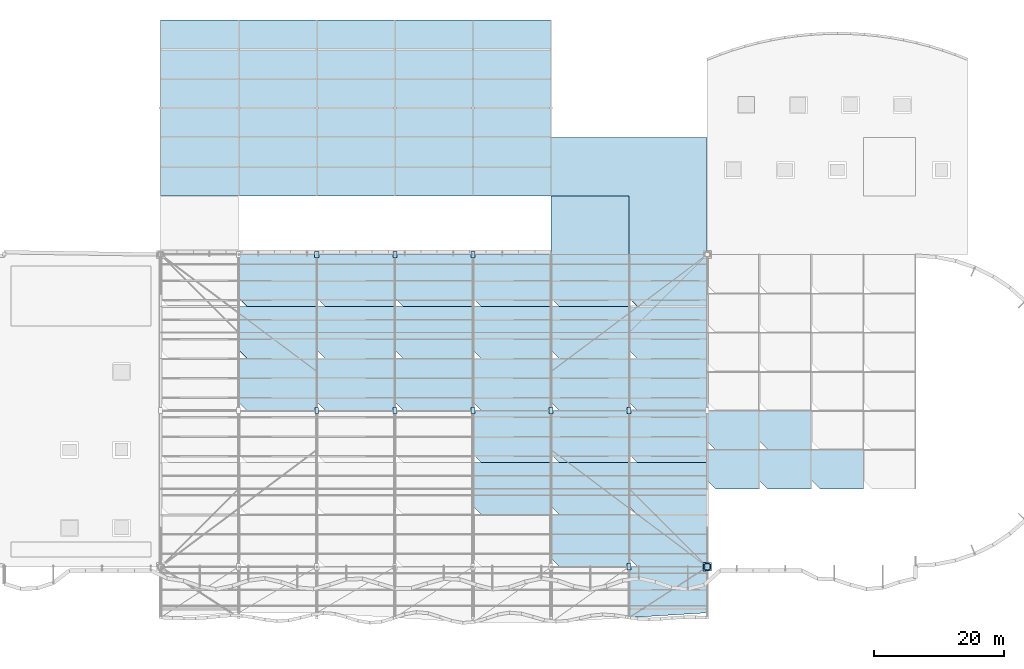
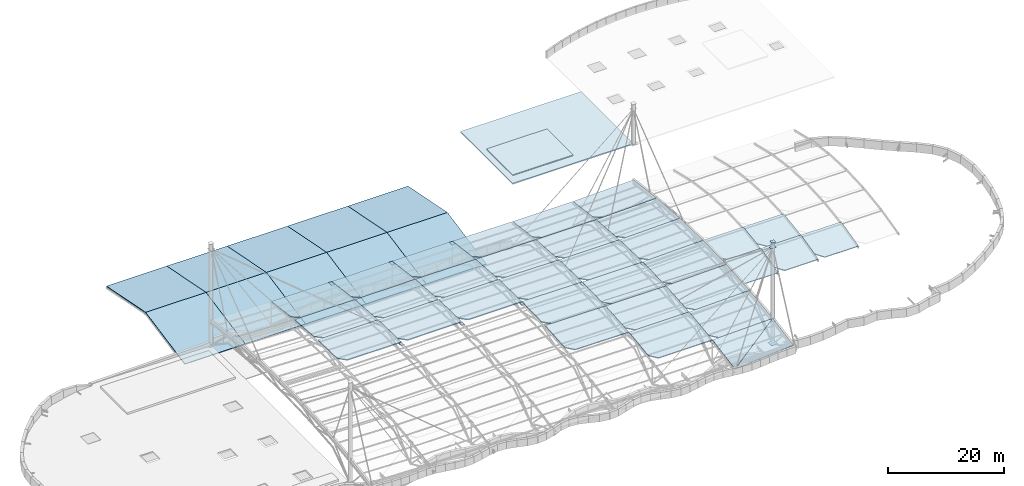
# One storey, part 19 of 29: 45 slabs, 13 plates.
"""IFC4 building model written with IfcOpenShell, lengths in metres."""

from ifc_helpers import new_model, si_unit, direction, frame, origin, origin_with_axes, origin_2d, place, context, subcontext, project, spatial, polyline, rectangle, outline, extrude, material, layer, layer_set, type_object, element, save


model = new_model("IFC4")

# Units and contexts
model_context = context("Model", 3, precision=1e-05, world=origin(), true_north=direction((0.0, 1.0)))
body_context = subcontext(model_context, "Body", "Model", "MODEL_VIEW")
ifc_project = project(units=[si_unit("LENGTHUNIT", "METRE"), si_unit("AREAUNIT", "SQUARE_METRE"), si_unit("VOLUMEUNIT", "CUBIC_METRE"), si_unit("PLANEANGLEUNIT", "RADIAN"), si_unit("MASSUNIT", "GRAM", prefix="KILO")], contexts=[model_context])

# Site, building, storey
site_placement = place(None, origin())
site = spatial("IfcSite", under=ifc_project, at=site_placement, CompositionType="ELEMENT")
building_placement = place(site_placement, origin())
building = spatial("IfcBuilding", under=site, at=building_placement, Name="Keelwater Ferry Terminal", CompositionType="ELEMENT")
storey_placement = place(building_placement, frame((0.0, 0.0, 27.89990234375)))
storey = spatial("IfcBuildingStorey", under=building, at=storey_placement, Name="RF", CompositionType="ELEMENT", Elevation=27.89990234375)

# Plates
ifc_material_1 = material(Name="Steel S355", Category="steel")
ifc_layer_1 = layer(ifc_material_1, 0.06494140625)
ifc_layer_set_1 = layer_set([ifc_layer_1], Name="Steel S355")
plate_type_1 = type_object("IfcPlateType", Name="BP1 1300x1300x65", PredefinedType="USERDEFINED", material=ifc_layer_set_1)
plate_1_placement = place(storey_placement, frame((132.0, 42.0, -12.900390625), z_axis=(0.0, 0.0, 1.0), x_axis=(1.0, 0.0, 0.0)))
element("IfcPlate", 1, at=plate_1_placement, inside=storey, type_object=plate_type_1, Name="Roof Mast ML3 Base Plate", ObjectType="GUSSET PLATE", PredefinedType="USERDEFINED", context=body_context, shape_type="SweptSolid", body=[
    extrude(rectangle(XDim=1.300048828125, YDim=1.300048828125, at=origin_2d()), origin(), (0.0, 0.0, 1.0), 0.06494140625),
])
ifc_material_2 = material(Name="Steel S355", Category="steel")
ifc_layer_2 = layer(ifc_material_2, 0.034912109375)
ifc_layer_set_2 = layer_set([ifc_layer_2], Name="Steel S355")
plate_type_2 = type_object("IfcPlateType", Name="CP1 840x840x35", PredefinedType="USERDEFINED", material=ifc_layer_set_2)
plate_2_placement = place(storey_placement, frame((132.0, 42.0, 8.46484375), z_axis=(0.0, 0.0, 1.0), x_axis=(1.0, 0.0, 0.0)))
element("IfcPlate", 2, at=plate_2_placement, inside=storey, type_object=plate_type_2, Name="Roof Mast ML3 Top Cap Plate", ObjectType="GUSSET PLATE", PredefinedType="USERDEFINED", context=body_context, shape_type="SweptSolid", body=[
    extrude(rectangle(XDim=0.840087890625, YDim=0.840087890625, at=origin_2d()), origin(), (0.0, 0.0, 1.0), 0.034912109375),
])
ifc_material_3 = material(Name="Steel S355", Category="steel")
ifc_layer_3 = layer(ifc_material_3, 0.030029296875)
ifc_layer_set_3 = layer_set([ifc_layer_3], Name="Steel S355")
plate_type_3 = type_object("IfcPlateType", Name="GP1 900x600x30", PredefinedType="USERDEFINED", material=ifc_layer_set_3)
for number, where, z_axis, x_axis, name in (
    (3, (72.0, 66.0, -6.61279296875), (0.0, 0.0, 1.0), (0.0, 1.0, 0.0), "Connection Gusset Plate 11"),
    (4, (84.0, 66.0, -6.52978515625), (0.0, 0.0, 1.0), (0.0, 1.0, 0.0), "Connection Gusset Plate 15"),
    (5, (96.0, 66.0, -6.52978515625), (0.0, 0.0, 1.0), (0.0, 1.0, 0.0), "Connection Gusset Plate 19"),
    (6, (108.0, 66.0, -6.61279296875), (0.0, 0.0, 1.0), (0.0, 1.0, 0.0), "Connection Gusset Plate 23"),
    (7, (120.0, 66.0, -6.59912109375), (0.0, 0.0, 1.0), (0.0, 1.0, 0.0), "Connection Gusset Plate 26"),
):
    element("IfcPlate", number, at=place(storey_placement, frame(where, z_axis=z_axis, x_axis=x_axis)), inside=storey, type_object=plate_type_3, Name=name, ObjectType="GUSSET PLATE", PredefinedType="USERDEFINED", context=body_context, shape_type="SweptSolid", body=[
        extrude(rectangle(XDim=0.89990234375, YDim=0.60009765625, at=origin_2d()), origin(), (0.0, 0.0, 1.0), 0.030029296875),
    ])
ifc_material_4 = material(Name="Steel S460", Category="steel")
ifc_layer_4 = layer(ifc_material_4, 0.034912109375)
ifc_layer_set_4 = layer_set([ifc_layer_4], Name="Steel S460")
plate_type_4 = type_object("IfcPlateType", Name="GP6 1100x700x35", PredefinedType="USERDEFINED", material=ifc_layer_set_4)
plate_3_placement = place(storey_placement, frame((132.0, 42.0, 7.28271484375), z_axis=(0.0, 0.0, 1.0), x_axis=(1.0, 0.0, 0.0)))
element("IfcPlate", 8, at=plate_3_placement, inside=storey, type_object=plate_type_4, Name="Roof Mast ML3 Stay Cable Collar Plate", ObjectType="GUSSET PLATE", PredefinedType="USERDEFINED", context=body_context, shape_type="SweptSolid", body=[
    extrude(rectangle(XDim=1.10009765625, YDim=0.699951171875, at=origin_2d()), origin(), (0.0, 0.0, 1.0), 0.034912109375),
])
ifc_material_5 = material(Name="Steel S460", Category="steel")
ifc_layer_5 = layer(ifc_material_5, 0.031982421875)
ifc_layer_set_5 = layer_set([ifc_layer_5], Name="Steel S460")
plate_type_5 = type_object("IfcPlateType", Name="GP7 960x640x32", PredefinedType="USERDEFINED", material=ifc_layer_set_5)
for number, where, z_axis, x_axis, name in (
    (9, (72.0, 90.0, -8.4638671875), (0.0, 0.0, 1.0), (0.0, 1.0, 0.0), "Connection Gusset Plate 12"),
    (10, (84.0, 90.0, -8.380859375), (0.0, 0.0, 1.0), (0.0, 1.0, 0.0), "Connection Gusset Plate 16"),
    (11, (96.0, 90.0, -8.380859375), (0.0, 0.0, 1.0), (0.0, 1.0, 0.0), "Connection Gusset Plate 20"),
    (12, (120.0, 42.0, -8.44970703125), (0.0, 0.0, 1.0), (0.0, 1.0, 0.0), "Connection Gusset Plate 25"),
    (13, (132.0, 42.0, -8.11572265625), (0.0, 0.0, 1.0), (0.0, 1.0, 0.0), "Connection Gusset Plate 28"),
):
    element("IfcPlate", number, at=place(storey_placement, frame(where, z_axis=z_axis, x_axis=x_axis)), inside=storey, type_object=plate_type_5, Name=name, ObjectType="GUSSET PLATE", PredefinedType="USERDEFINED", context=body_context, shape_type="SweptSolid", body=[
        extrude(rectangle(XDim=0.9599609375, YDim=0.639892578125, at=origin_2d()), origin(), (0.0, 0.0, 1.0), 0.031982421875),
    ])

# Slabs
ifc_material_6 = material(Name="Concrete C40/50", Category="concrete")
ifc_layer_6 = layer(ifc_material_6, 0.159912109375)
ifc_layer_set_6 = layer_set([ifc_layer_6], Name="Concrete C40/50")
slab_type_1 = type_object("IfcSlabType", Name="SL-R160 Roof Slab 160", PredefinedType="ROOF", material=ifc_layer_set_6)
for number, where, z_axis, x_axis, name in (
    (14, (48.0, 99.03081925223994, -22.55700373782611), (0.0, -0.19262032649962968, 0.981273361413208), (1.0, 0.0, 0.0), "V6 Forecourt Wave Canopy Roof Panel SL-RF-144"),
    (15, (48.0, 112.46918074776006, -19.907003737826113), (0.0, 0.1926203264996298, 0.981273361413208), (1.0, 0.0, 0.0), "V6 Forecourt Wave Canopy Roof Panel SL-RF-145"),
    (16, (60.0, 99.03081925223994, -22.55700373782611), (0.0, -0.19262032649962968, 0.981273361413208), (1.0, 0.0, 0.0), "V6 Forecourt Wave Canopy Roof Panel SL-RF-146"),
    (17, (60.0, 112.46918074776006, -19.907003737826113), (0.0, 0.1926203264996298, 0.981273361413208), (1.0, 0.0, 0.0), "V6 Forecourt Wave Canopy Roof Panel SL-RF-147"),
    (18, (72.0, 99.03081925223994, -22.55700373782611), (0.0, -0.19262032649962968, 0.981273361413208), (1.0, 0.0, 0.0), "V6 Forecourt Wave Canopy Roof Panel SL-RF-148"),
    (19, (72.0, 112.46918074776006, -19.907003737826113), (0.0, 0.1926203264996298, 0.981273361413208), (1.0, 0.0, 0.0), "V6 Forecourt Wave Canopy Roof Panel SL-RF-149"),
    (20, (84.0, 99.03081925223994, -22.55700373782611), (0.0, -0.19262032649962968, 0.981273361413208), (1.0, 0.0, 0.0), "V6 Forecourt Wave Canopy Roof Panel SL-RF-150"),
    (21, (84.0, 112.46918074776006, -19.907003737826113), (0.0, 0.1926203264996298, 0.981273361413208), (1.0, 0.0, 0.0), "V6 Forecourt Wave Canopy Roof Panel SL-RF-151"),
    (22, (96.0, 99.03081925223994, -22.55700373782611), (0.0, -0.19262032649962968, 0.981273361413208), (1.0, 0.0, 0.0), "V6 Forecourt Wave Canopy Roof Panel SL-RF-152"),
    (23, (96.0, 112.46918074776006, -19.907003737826113), (0.0, 0.1926203264996298, 0.981273361413208), (1.0, 0.0, 0.0), "V6 Forecourt Wave Canopy Roof Panel SL-RF-153"),
):
    element("IfcSlab", number, at=place(storey_placement, frame(where, z_axis=z_axis, x_axis=x_axis)), inside=storey, type_object=slab_type_1, Name=name, PredefinedType="ROOF", context=body_context, shape_type="SweptSolid", body=[
        extrude(outline(polyline([(0.0, 0.0), (12.0, 0.0), (12.0, 13.757634244302327), (0.0, 13.757634244302327), (0.0, 0.0)])), origin_with_axes(), (0.0, 0.0, 1.0), 0.16),
    ])
ifc_material_7 = material(Name="Concrete C40/50", Category="concrete")
ifc_layer_7 = layer(ifc_material_7, 0.179931640625)
ifc_layer_set_7 = layer_set([ifc_layer_7], Name="Concrete C40/50")
slab_type_2 = type_object("IfcSlabType", Name="SL-R180 Roof Slab 180", PredefinedType="ROOF", material=ifc_layer_set_7)
slab_1_placement = place(storey_placement, frame((0.0, 0.0, 1.6201171875)))
element("IfcSlab", 24, at=slab_1_placement, inside=storey, type_object=slab_type_2, Name="Core C2 Lift Overrun Roof SL-RF-060", PredefinedType="ROOF", context=body_context, shape_type="SweptSolid", body=[
    extrude(outline(polyline([(108.0, 90.0), (120.0, 90.0), (120.0, 99.0), (108.0, 99.0), (108.0, 90.0)])), origin(), (0.0, 0.0, 1.0), 0.179931640625),
])
slab_2_placement = place(storey_placement, frame((120.0027563412765, 34.23494101580068, -9.557554603444895), z_axis=(-0.015313007091599285, -0.19411675444819176, 0.980858908027201), x_axis=(0.9998827490330117, -0.0029728598081506237, 0.0150216607187239)))
element("IfcSlab", 25, at=slab_2_placement, inside=storey, type_object=slab_type_2, Name="V1 Saddle Wave Eave Roof Facet SL-RF-112", PredefinedType="ROOF", context=body_context, shape_type="SweptSolid", body=[
    extrude(outline(polyline([(0.0, 0.0), (12.001407176596677, 0.7866452704579032), (12.001407176596675, 7.987652144499894), (0.0, 0.0)])), origin_with_axes(), (0.0, 0.0, 1.0), 0.18),
])
slab_3_placement = place(storey_placement, frame((120.00492967841863, 34.231721606406424, -9.558114194681526), z_axis=(-0.02738710232575418, -0.17623114670234324, 0.9839677482306907), x_axis=(0.9996249029642061, -0.004828271518056501, 0.026958137323436392)))
element("IfcSlab", 26, at=slab_3_placement, inside=storey, type_object=slab_type_2, Name="V1 Saddle Wave Eave Roof Facet SL-RF-113", PredefinedType="ROOF", context=body_context, shape_type="SweptSolid", body=[
    extrude(outline(polyline([(0.0, 0.0), (12.0045028534365, 7.982998950384174), (0.0, 7.924115660438075), (0.0, 0.0)])), origin_with_axes(), (0.0, 0.0, 1.0), 0.18),
])
slab_4_placement = place(storey_placement, frame((133.29999886571312, 54.04211671030216, -8.275003379144621), z_axis=(6.301593770854514e-06, -0.2339817239009008, 0.9722409952479132), x_axis=(0.999999999980145, 1.4744577738569928e-06, -6.126667799545288e-06)))
element("IfcSlab", 27, at=slab_4_placement, inside=storey, type_object=slab_type_2, Name="V2 Vaulted Gallery Roof Panel SL-RF-120", PredefinedType="ROOF", context=body_context, shape_type="SweptSolid", body=[
    extrude(outline(polyline([(0.0, 0.0), (6.69999999986696, -1.4187801866509507e-21), (6.6999999997053, 6.171315580922911), (-1.3000000001358594, 6.171315580922911), (-1.300000000826115, 1.337149573429815), (0.0, 0.0)])), origin_with_axes(), (0.0, 0.0, 1.0), 0.18),
])
slab_5_placement = place(storey_placement, frame((133.29999870098442, 60.02574176881084, -6.834149828337839), z_axis=(7.216753372769572e-06, -0.14300982672687687, 0.9897212685435568), x_axis=(0.9999999999739593, 1.0320666493972566e-06, -7.142574303049491e-06)))
element("IfcSlab", 28, at=slab_5_placement, inside=storey, type_object=slab_type_2, Name="V2 Vaulted Gallery Roof Panel SL-RF-121", PredefinedType="ROOF", context=body_context, shape_type="SweptSolid", body=[
    extrude(outline(polyline([(0.0, 0.0), (6.699999999825516, 0.0), (6.699999999613491, 6.062317131191412), (-1.3000000001781828, 6.062317131191412), (-1.3000000010834831, 1.313523496565479), (0.0, 0.0)])), origin_with_axes(), (0.0, 0.0, 1.0), 0.18),
])
slab_6_placement = place(storey_placement, frame((141.29999886571312, 54.04211671030216, -8.275003379144621), z_axis=(6.301593770854514e-06, -0.2339817239009008, 0.9722409952479132), x_axis=(0.999999999980145, 1.4744577738569928e-06, -6.126667799545288e-06)))
element("IfcSlab", 29, at=slab_6_placement, inside=storey, type_object=slab_type_2, Name="V2 Vaulted Gallery Roof Panel SL-RF-126", PredefinedType="ROOF", context=body_context, shape_type="SweptSolid", body=[
    extrude(outline(polyline([(0.0, 0.0), (6.69999999986696, -1.4187801866509507e-21), (6.6999999997053, 6.171315580922911), (-1.3000000001358594, 6.171315580922911), (-1.300000000826115, 1.337149573429815), (0.0, 0.0)])), origin_with_axes(), (0.0, 0.0, 1.0), 0.18),
])
slab_7_placement = place(storey_placement, frame((141.29999870098442, 60.02574176881084, -6.834149828337839), z_axis=(7.216753372769572e-06, -0.14300982672687687, 0.9897212685435568), x_axis=(0.9999999999739593, 1.0320666493972566e-06, -7.142574303049491e-06)))
element("IfcSlab", 30, at=slab_7_placement, inside=storey, type_object=slab_type_2, Name="V2 Vaulted Gallery Roof Panel SL-RF-127", PredefinedType="ROOF", context=body_context, shape_type="SweptSolid", body=[
    extrude(outline(polyline([(0.0, 0.0), (6.699999999825516, 0.0), (6.699999999613491, 6.062317131191412), (-1.3000000001781828, 6.062317131191412), (-1.3000000010834831, 1.313523496565479), (0.0, 0.0)])), origin_with_axes(), (0.0, 0.0, 1.0), 0.18),
])
slab_8_placement = place(storey_placement, frame((149.29999886571312, 54.04211671030216, -8.275003379144621), z_axis=(6.301593770854514e-06, -0.2339817239009008, 0.9722409952479132), x_axis=(0.999999999980145, 1.4744577738569928e-06, -6.126667799545288e-06)))
element("IfcSlab", 31, at=slab_8_placement, inside=storey, type_object=slab_type_2, Name="V2 Vaulted Gallery Roof Panel SL-RF-132", PredefinedType="ROOF", context=body_context, shape_type="SweptSolid", body=[
    extrude(outline(polyline([(0.0, 0.0), (6.69999999986696, -1.4187801866509507e-21), (6.6999999997053, 6.171315580922911), (-1.3000000001358594, 6.171315580922911), (-1.300000000826115, 1.337149573429815), (0.0, 0.0)])), origin_with_axes(), (0.0, 0.0, 1.0), 0.18),
])
ifc_material_8 = material(Name="Concrete C40/50", Category="concrete")
ifc_layer_8 = layer(ifc_material_8, 0.199951171875)
ifc_layer_set_8 = layer_set([ifc_layer_8], Name="Concrete C40/50")
slab_type_3 = type_object("IfcSlabType", Name="SL-R200 Roof Slab 200", PredefinedType="ROOF", material=ifc_layer_set_8)
slab_9_placement = place(storey_placement, frame((61.299766886722, 65.99487952147167, -6.335934305105052), z_axis=(0.0011655663899887117, 0.025602392641629685, 0.999671525525267), x_axis=(0.9999993207272646, -2.9841308636765218e-05, -0.001165184322658936)))
element("IfcSlab", 32, at=slab_9_placement, inside=storey, type_object=slab_type_3, Name="V1 Saddle Cable-Net Coffered Roof Panel SL-RF-077", PredefinedType="ROOF", context=body_context, shape_type="SweptSolid", body=[
    extrude(outline(polyline([(0.0, 0.0), (10.700006713993606, 0.000307228920391797), (10.700006846310655, 8.002933359579805), (-1.3000013149970355, 8.002574925839347), (-1.3000017899326666, 1.300367540658951), (0.0, 0.0)])), origin_with_axes(), (0.0, 0.0, 1.0), 0.2),
])
slab_10_placement = place(storey_placement, frame((61.299767798265236, 73.9846237672077, -6.5404079174643535), z_axis=(0.0011610086738014936, 0.07688116396154596, 0.997039587321776), x_axis=(0.9999993260292026, -8.925975836978018e-05, -0.0011575723891740297)))
element("IfcSlab", 33, at=slab_10_placement, inside=storey, type_object=slab_type_3, Name="V1 Saddle Cable-Net Coffered Roof Panel SL-RF-078", PredefinedType="ROOF", context=body_context, shape_type="SweptSolid", body=[
    extrude(outline(polyline([(0.0, 0.0), (10.700006679381142, 0.0009225745893269183), (10.700006823478304, 8.024680359106242), (-1.3000012948855768, 8.02360402208536), (-1.300001719429702, 1.3036866962333), (0.0, 0.0)])), origin_with_axes(), (0.0, 0.0, 1.0), 0.2),
])
slab_11_placement = place(storey_placement, frame((61.29977026668707, 81.97451377631319, -7.156369351525861), z_axis=(0.0011486665646517158, 0.12743111843406327, 0.991846757629306), x_axis=(0.999999340282344, -0.00014637596160818768, -0.001139301959364616)))
element("IfcSlab", 34, at=slab_11_placement, inside=storey, type_object=slab_type_3, Name="V1 Saddle Cable-Net Coffered Roof Panel SL-RF-079", PredefinedType="ROOF", context=body_context, shape_type="SweptSolid", body=[
    extrude(outline(polyline([(0.0, 0.0), (10.700006612644597, 0.0015291744300321877), (10.700006807365957, 8.067307746351231), (-1.300001226249602, 8.065523709516192), (-1.30000144629384, 1.3104277839720613), (0.0, 0.0)])), origin_with_axes(), (0.0, 0.0, 1.0), 0.2),
])
slab_12_placement = place(storey_placement, frame((73.3013809453349, 65.99487502035765, -6.338929556528413), z_axis=(-0.006904726674478213, 0.02562489821170663, 0.9996477826420617), x_axis=(0.9999761620906524, 0.00017693713602456862, 0.006902459250089521)))
element("IfcSlab", 35, at=slab_12_placement, inside=storey, type_object=slab_type_3, Name="V1 Saddle Cable-Net Coffered Roof Panel SL-RF-085", PredefinedType="ROOF", context=body_context, shape_type="SweptSolid", body=[
    extrude(outline(polyline([(0.0, 0.0), (10.700255716354489, -0.0018962876711999357), (10.700256209296418, 8.00072984347495), (-1.3000306399091681, 8.002856760727783), (-1.3000288957295172, 1.3006493679212947), (0.0, 0.0)])), origin_with_axes(), (0.0, 0.0, 1.0), 0.2),
])
slab_13_placement = place(storey_placement, frame((73.30136054002014, 73.9846185194855, -6.543403006466889), z_axis=(-0.006802700100751953, 0.07690740257253416, 0.9970150323344605), x_axis=(0.9999768613679715, 0.0005231901011319802, 0.006782551199869275)))
element("IfcSlab", 36, at=slab_13_placement, inside=storey, type_object=slab_type_3, Name="V1 Saddle Cable-Net Coffered Roof Panel SL-RF-086", PredefinedType="ROOF", context=body_context, shape_type="SweptSolid", body=[
    extrude(outline(polyline([(0.0, 0.0), (10.700247542874887, -0.00561437029664339), (10.700248229593624, 8.018143414545165), (-1.3000302760204225, 8.02444996748112), (-1.3000290707276743, 1.30453263401579), (0.0, 0.0)])), origin_with_axes(), (0.0, 0.0, 1.0), 0.2),
])
slab_14_placement = place(storey_placement, frame((73.30137168868978, 81.97450984690587, -7.159364237112882), z_axis=(-0.006858443448925348, 0.12745076547059528, 0.9918211855644229), x_axis=(0.9999764806001479, 0.0008741344266194293, 0.0068025095035807006)))
element("IfcSlab", 37, at=slab_14_placement, inside=storey, type_object=slab_type_3, Name="V1 Saddle Cable-Net Coffered Roof Panel SL-RF-087", PredefinedType="ROOF", context=body_context, shape_type="SweptSolid", body=[
    extrude(outline(polyline([(0.0, 0.0), (10.70025172812485, -0.009431578469889526), (10.700251823768125, 8.05634699522066), (-1.300030551722447, 8.066925657558508), (-1.3000302916982145, 1.3118297294045156), (0.0, 0.0)])), origin_with_axes(), (0.0, 0.0, 1.0), 0.2),
])
slab_15_placement = place(storey_placement, frame((85.29999716344274, 65.99484911446514, -6.264933659922885), z_axis=(1.4182786300266396e-05, 0.025754427674332562, 0.9996682996144352), x_axis=(0.9999999998994243, -3.6526954402746285e-07, -1.4178081866008185e-05)))
element("IfcSlab", 38, at=slab_15_placement, inside=storey, type_object=slab_type_3, Name="V1 Saddle Cable-Net Coffered Roof Panel SL-RF-093", PredefinedType="ROOF", context=body_context, shape_type="SweptSolid", body=[
    extrude(outline(polyline([(0.0, 0.0), (10.699999998923843, 0.0), (10.699999997452355, 8.002651809821266), (-1.3000000013407367, 8.002651809821266), (-1.3000000068429545, 1.3004186857428064), (0.0, 0.0)])), origin_with_axes(), (0.0, 0.0, 1.0), 0.2),
])
slab_16_placement = place(storey_placement, frame((85.29999940439505, 73.98464490986967, -6.470409681827974), z_axis=(2.978024752662746e-06, 0.07677545065163224, 0.9970484091398824), x_axis=(0.9999999999955657, -2.2863919243841183e-07, -2.969234842034749e-06)))
element("IfcSlab", 39, at=slab_16_placement, inside=storey, type_object=slab_type_3, Name="V1 Saddle Cable-Net Coffered Roof Panel SL-RF-094", PredefinedType="ROOF", context=body_context, shape_type="SweptSolid", body=[
    extrude(outline(polyline([(0.0, 0.0), (10.699999999952555, 0.0), (10.699999999887677, 8.023680950756043), (-1.3000000000591092, 8.023680950756043), (-1.3000000003016983, 1.3038404769527892), (0.0, 0.0)])), origin_with_axes(), (0.0, 0.0, 1.0), 0.2),
])
slab_17_placement = place(storey_placement, frame((85.29999970375182, 81.9745093238558, -7.0853689124576285), z_axis=(1.4812408750951153e-06, 0.12745338072099802, 0.9918445622881613), x_axis=(0.999999999998903, -1.8878915719320909e-07, -1.4691607074036594e-06)))
element("IfcSlab", 40, at=slab_17_placement, inside=storey, type_object=slab_type_3, Name="V1 Saddle Cable-Net Coffered Roof Panel SL-RF-095", PredefinedType="ROOF", context=body_context, shape_type="SweptSolid", body=[
    extrude(outline(polyline([(0.0, 0.0), (10.699999999988265, -2.8322664173815675e-22), (10.699999999972214, 8.065778573695326), (-1.3000000000146212, 8.065778573695326), (-1.300000000074637, 1.3106826455564518), (0.0, 0.0)])), origin_with_axes(), (0.0, 0.0, 1.0), 0.2),
])
slab_18_placement = place(storey_placement, frame((97.29862141265514, 50.01535480303141, -7.095404938556694), z_axis=(0.006892936724324888, -0.07677401515702725, 0.9970246927834753), x_axis=(0.9999762434294699, 0.0005292110007882144, -0.006872591389148017)))
element("IfcSlab", 41, at=slab_18_placement, inside=storey, type_object=slab_type_3, Name="V1 Saddle Cable-Net Coffered Roof Panel SL-RF-099", PredefinedType="ROOF", context=body_context, shape_type="SweptSolid", body=[
    extrude(outline(polyline([(0.0, 0.0), (10.700254376458128, -0.0056814120924872265), (10.700254548168719, 8.017999538654461), (-1.30003079807022, 8.024371933298736), (-1.3000302546187006, 1.3045314594642565), (0.0, 0.0)])), origin_with_axes(), (0.0, 0.0, 1.0), 0.2),
])
slab_19_placement = place(storey_placement, frame((97.29863714011704, 58.005151862133864, -6.479928989717578), z_axis=(0.006814299414775568, -0.025759310669326938, 0.9996449485879109), x_axis=(0.9999767823922142, 0.00017553573113877457, -0.006812038147375882)))
element("IfcSlab", 42, at=slab_19_placement, inside=storey, type_object=slab_type_3, Name="V1 Saddle Cable-Net Coffered Roof Panel SL-RF-100", PredefinedType="ROOF", context=body_context, shape_type="SweptSolid", body=[
    extrude(outline(polyline([(0.0, 0.0), (10.700248850381453, -0.0018804733389533122), (10.700249856372205, 8.000771335793166), (-1.3000301194624513, 8.002883648310894), (-1.300027726261585, 1.300650522206084), (0.0, 0.0)])), origin_with_axes(), (0.0, 0.0, 1.0), 0.2),
])
slab_20_placement = place(storey_placement, frame((97.29861435685078, 65.99484931638712, -6.273928863477444), z_axis=(0.0069282157461128665, 0.025753418064434614, 0.9996443173872264), x_axis=(0.9999759996252786, -0.00017842951892555899, -0.0069259177248551145)))
element("IfcSlab", 43, at=slab_20_placement, inside=storey, type_object=slab_type_3, Name="V1 Saddle Cable-Net Coffered Roof Panel SL-RF-101", PredefinedType="ROOF", context=body_context, shape_type="SweptSolid", body=[
    extrude(outline(polyline([(0.0, 0.0), (10.700255713902123, 0.0019057986766505863), (10.70025501680204, 8.004557608537935), (-1.3000318298724671, 8.002420023535747), (-1.300034535862066, 1.300186899609736), (0.0, 0.0)])), origin_with_axes(), (0.0, 0.0, 1.0), 0.2),
])
slab_21_placement = place(storey_placement, frame((97.29863728642633, 73.98464635389513, -6.479405136751794), z_axis=(0.006813567868355667, 0.07676823052437466, 0.997025683758979), x_axis=(0.9999767873770387, -0.0005230776908166163, -0.0067934598568077775)))
element("IfcSlab", 44, at=slab_21_placement, inside=storey, type_object=slab_type_3, Name="V1 Saddle Cable-Net Coffered Roof Panel SL-RF-102", PredefinedType="ROOF", context=body_context, shape_type="SweptSolid", body=[
    extrude(outline(polyline([(0.0, 0.0), (10.700247547503864, 0.005604210916714387), (10.700247697249123, 8.029285161672233), (-1.300030814983598, 8.0229900206425), (-1.3000316197412394, 1.3031495473834935), (0.0, 0.0)])), origin_with_axes(), (0.0, 0.0, 1.0), 0.2),
])
slab_22_placement = place(storey_placement, frame((97.29862771871974, 81.97451000037458, -7.094364252735172), z_axis=(0.006861406401248271, 0.12744999812708563, 0.9918212636758716), x_axis=(0.9999764602740391, -0.0008745068186391271, -0.006805448965883473)))
element("IfcSlab", 45, at=slab_22_placement, inside=storey, type_object=slab_type_3, Name="V1 Saddle Cable-Net Coffered Roof Panel SL-RF-103", PredefinedType="ROOF", context=body_context, shape_type="SweptSolid", body=[
    extrude(outline(polyline([(0.0, 0.0), (10.700251728155695, 0.009431521876844918), (10.70025167514351, 8.075210095575748), (-1.3000307004091256, 8.064631496713881), (-1.3000309962838692, 1.3095355685911307), (0.0, 0.0)])), origin_with_axes(), (0.0, 0.0, 1.0), 0.2),
])
slab_23_placement = place(storey_placement, frame((109.30022973331293, 42.02548622368681, -8.19436935152586), z_axis=(-0.001148666564651727, -0.12743111843406324, 0.991846757629306), x_axis=(0.999999340282344, -0.0001463759616081891, 0.0011393019593646274)))
element("IfcSlab", 46, at=slab_23_placement, inside=storey, type_object=slab_type_3, Name="V1 Saddle Cable-Net Coffered Roof Panel SL-RF-106", PredefinedType="ROOF", context=body_context, shape_type="SweptSolid", body=[
    extrude(outline(polyline([(0.0, 0.0), (10.700006612644597, 0.0015291744300321873), (10.700006807365957, 8.067307746351231), (-1.300001226249602, 8.065523709516192), (-1.30000144629384, 1.3104277839720613), (0.0, 0.0)])), origin_with_axes(), (0.0, 0.0, 1.0), 0.2),
])
slab_24_placement = place(storey_placement, frame((109.30023220173476, 50.015376232792306, -7.167407917464356), z_axis=(-0.0011610086738015027, -0.07688116396154596, 0.997039587321776), x_axis=(0.9999993260292026, -8.925975836978087e-05, 0.0011575723891740389)))
element("IfcSlab", 47, at=slab_24_placement, inside=storey, type_object=slab_type_3, Name="V1 Saddle Cable-Net Coffered Roof Panel SL-RF-107", PredefinedType="ROOF", context=body_context, shape_type="SweptSolid", body=[
    extrude(outline(polyline([(0.0, 0.0), (10.700006679381142, 0.0009225745893269181), (10.700006823478304, 8.024680359106242), (-1.3000012948855768, 8.02360402208536), (-1.300001719429702, 1.3036866962333), (0.0, 0.0)])), origin_with_axes(), (0.0, 0.0, 1.0), 0.2),
])
slab_25_placement = place(storey_placement, frame((109.300233113278, 58.005120478528326, -6.550934305105052), z_axis=(-0.0011655663899887163, -0.025602392641629678, 0.999671525525267), x_axis=(0.9999993207272646, -2.9841308636765326e-05, 0.0011651843226589405)))
element("IfcSlab", 48, at=slab_25_placement, inside=storey, type_object=slab_type_3, Name="V1 Saddle Cable-Net Coffered Roof Panel SL-RF-108", PredefinedType="ROOF", context=body_context, shape_type="SweptSolid", body=[
    extrude(outline(polyline([(0.0, 0.0), (10.700006713993606, 0.00030722892039179695), (10.700006846310655, 8.002933359579805), (-1.3000013149970355, 8.002574925839347), (-1.3000017899326666, 1.300367540658951), (0.0, 0.0)])), origin_with_axes(), (0.0, 0.0, 1.0), 0.2),
])
slab_26_placement = place(storey_placement, frame((109.30022938069202, 65.99487043834478, -6.345934076589565), z_axis=(-0.0011469034600816463, 0.02564780827609117, 0.9996703829478426), x_axis=(0.9999993423060104, 2.941557940180942e-05, 0.0011465261752073995)))
element("IfcSlab", 49, at=slab_26_placement, inside=storey, type_object=slab_type_3, Name="V1 Saddle Cable-Net Coffered Roof Panel SL-RF-109", PredefinedType="ROOF", context=body_context, shape_type="SweptSolid", body=[
    extrude(outline(polyline([(0.0, 0.0), (10.700006720988416, -0.0003077739017340599), (10.700007007757714, 8.002318353656712), (-1.3000011512808642, 8.002677423208734), (-1.3000010331607206, 1.3004700264331759), (0.0, 0.0)])), origin_with_axes(), (0.0, 0.0, 1.0), 0.2),
])
slab_27_placement = place(storey_placement, frame((109.30022907404538, 73.98461475552541, -6.5504072259912824), z_axis=(-0.001145370226922733, 0.07692622237296523, 0.9970361299564166), x_axis=(0.9999993440633066, 8.810906256959898e-05, 0.0011419762474824682)))
element("IfcSlab", 50, at=slab_27_placement, inside=storey, type_object=slab_type_3, Name="V1 Saddle Cable-Net Coffered Roof Panel SL-RF-110", PredefinedType="ROOF", context=body_context, shape_type="SweptSolid", body=[
    extrude(outline(polyline([(0.0, 0.0), (10.700006685192353, -0.0009231152739807983), (10.700006958348212, 8.022834666658621), (-1.3000011580789308, 8.023911634478265), (-1.3000010870781986, 1.30399429896309), (0.0, 0.0)])), origin_with_axes(), (0.0, 0.0, 1.0), 0.2),
])
slab_28_placement = place(storey_placement, frame((109.30022913950411, 81.9745049048902, -7.1663682122227), z_axis=(-0.0011456975205991191, 0.12747547554902613, 0.9918410611134937), x_axis=(0.9999993436883803, 0.00014604843212699594, 0.0011363505903462256)))
element("IfcSlab", 51, at=slab_28_placement, inside=storey, type_object=slab_type_3, Name="V1 Saddle Cable-Net Coffered Roof Panel SL-RF-111", PredefinedType="ROOF", context=body_context, shape_type="SweptSolid", body=[
    extrude(outline(polyline([(0.0, 0.0), (10.700006613672755, -0.0015297067105526606), (10.700006832722895, 8.064248864725995), (-1.3000012004459323, 8.066033522554973), (-1.3000013270828947, 1.3109375951989004), (0.0, 0.0)])), origin_with_axes(), (0.0, 0.0, 1.0), 0.2),
])
slab_29_placement = place(storey_placement, frame((121.30552021067604, 42.0254826465232, -8.146293121414395), z_axis=(-0.02760105338016834, -0.12741323261599358, 0.9914656070719992), x_axis=(0.9996190183526447, -0.0035180797585958015, 0.027375924870350236)))
element("IfcSlab", 52, at=slab_29_placement, inside=storey, type_object=slab_type_3, Name="V1 Saddle Cable-Net Coffered Roof Panel SL-RF-114", PredefinedType="ROOF", context=body_context, shape_type="SweptSolid", body=[
    extrude(outline(polyline([(0.0, 0.0), (10.704081521984664, 0.03798361437954469), (10.704079334682618, 8.103762187692842), (-1.3004924444558144, 8.061189948757379), (-1.3004919813865938, 1.3060940205178286), (0.0, 0.0)])), origin_with_axes(), (0.0, 0.0, 1.0), 0.2),
])
slab_30_placement = place(storey_placement, frame((121.305550362549, 50.015376533265325, -7.119330769577388), z_axis=(-0.027751812745022864, -0.07688266632664016, 0.9966538478869541), x_axis=(0.9996148442722153, -0.00213445545697995, 0.027669608066197504)))
element("IfcSlab", 53, at=slab_30_placement, inside=storey, type_object=slab_type_3, Name="V1 Saddle Cable-Net Coffered Roof Panel SL-RF-115", PredefinedType="ROOF", context=body_context, shape_type="SweptSolid", body=[
    extrude(outline(polyline([(0.0, 0.0), (10.704124376916432, 0.02291986228157642), (10.704120881437436, 8.0466776467698), (-1.300498898923256, 8.020988942064944), (-1.3005032347317143, 1.3010716080800526), (0.0, 0.0)])), origin_with_axes(), (0.0, 0.0, 1.0), 0.2),
])
slab_31_placement = place(storey_placement, frame((121.30554821889928, 58.00512375555064, -6.502857360124921), z_axis=(-0.027741094496423372, -0.025618777753214916, 0.9992868006246114), x_axis=(0.9996151417801457, -0.0007109665558578673, 0.02773198244655334)))
element("IfcSlab", 54, at=slab_31_placement, inside=storey, type_object=slab_type_3, Name="V1 Saddle Cable-Net Coffered Roof Panel SL-RF-116", PredefinedType="ROOF", context=body_context, shape_type="SweptSolid", body=[
    extrude(outline(polyline([(0.0, 0.0), (10.704118415834188, 0.007611706420487798), (10.704115739788868, 8.01023783730368), (-1.3005007117275822, 8.001703499801922), (-1.3005071367841416, 1.2994961062368866), (0.0, 0.0)])), origin_with_axes(), (0.0, 0.0, 1.0), 0.2),
])
slab_32_placement = place(storey_placement, frame((121.3055615844422, 65.99487868038628, -6.297857051073777), z_axis=(-0.027807922211005892, 0.02560659806862076, 0.9992852553688856), x_axis=(0.9996132849568911, 0.0007123417604553026, 0.02779879686082954)))
element("IfcSlab", 55, at=slab_32_placement, inside=storey, type_object=slab_type_3, Name="V1 Saddle Cable-Net Coffered Roof Panel SL-RF-117", PredefinedType="ROOF", context=body_context, shape_type="SweptSolid", body=[
    extrude(outline(polyline([(0.0, 0.0), (10.704146190503264, -0.007633718298149783), (10.704146171230436, 7.9949924131664165), (-1.300498046403773, 8.00354832562139), (-1.300489343138761, 1.3013409353622012), (0.0, 0.0)])), origin_with_axes(), (0.0, 0.0, 1.0), 0.2),
])
slab_33_placement = place(storey_placement, frame((121.30553019751231, 73.98462583105773, -6.50233151242292), z_axis=(-0.027650987561594183, 0.07687084471134725, 0.9966575621146075), x_axis=(0.999617638343216, 0.0021263678124824135, 0.027569107222713527)))
element("IfcSlab", 56, at=slab_33_placement, inside=storey, type_object=slab_type_3, Name="V1 Saddle Cable-Net Coffered Roof Panel SL-RF-118", PredefinedType="ROOF", context=body_context, shape_type="SweptSolid", body=[
    extrude(outline(polyline([(0.0, 0.0), (10.70409675511756, -0.022839373780068364), (10.704097558461005, 8.000918411644161), (-1.3004946143627507, 8.02652619436727), (-1.30048805027224, 1.3066088627592638), (0.0, 0.0)])), origin_with_axes(), (0.0, 0.0, 1.0), 0.2),
])
slab_34_placement = place(storey_placement, frame((121.30551963088095, 81.97452071514626, -7.118293569533353), z_axis=(-0.027598154404783127, 0.12739642426874548, 0.9914678476667752), x_axis=(0.9996190983937081, 0.0035172459122037804, 0.027373109208552404)))
element("IfcSlab", 57, at=slab_34_placement, inside=storey, type_object=slab_type_3, Name="V1 Saddle Cable-Net Coffered Roof Panel SL-RF-119", PredefinedType="ROOF", context=body_context, shape_type="SweptSolid", body=[
    extrude(outline(polyline([(0.0, 0.0), (10.704081539356828, -0.03797860054203712), (10.704079950388067, 8.027799972955075), (-1.3004918488120871, 8.07036659235454), (-1.3004891493952888, 1.3152706648022923), (0.0, 0.0)])), origin_with_axes(), (0.0, 0.0, 1.0), 0.2),
])
ifc_material_9 = material(Name="Concrete C40/50", Category="concrete")
ifc_layer_9 = layer(ifc_material_9, 0.219970703125)
ifc_layer_set_9 = layer_set([ifc_layer_9], Name="Concrete C40/50")
slab_type_4 = type_object("IfcSlabType", Name="SL-R220 Roof Slab 220", PredefinedType="ROOF", material=ifc_layer_set_9)
slab_35_placement = place(storey_placement, frame((0.0, 0.0, -0.219970703125)))
element("IfcSlab", 58, at=slab_35_placement, inside=storey, type_object=slab_type_4, Name="V5 Crown West Roof Slab SL-RF-058", PredefinedType="ROOF", context=body_context, shape_type="SweptSolid", body=[
    extrude(outline(polyline([(108.0, 90.0), (132.0, 90.0), (132.0, 108.0), (108.0, 108.0), (108.0, 90.0)])), origin(), (0.0, 0.0, 1.0), 0.219970703125),
])

save(model, "model.ifc")
